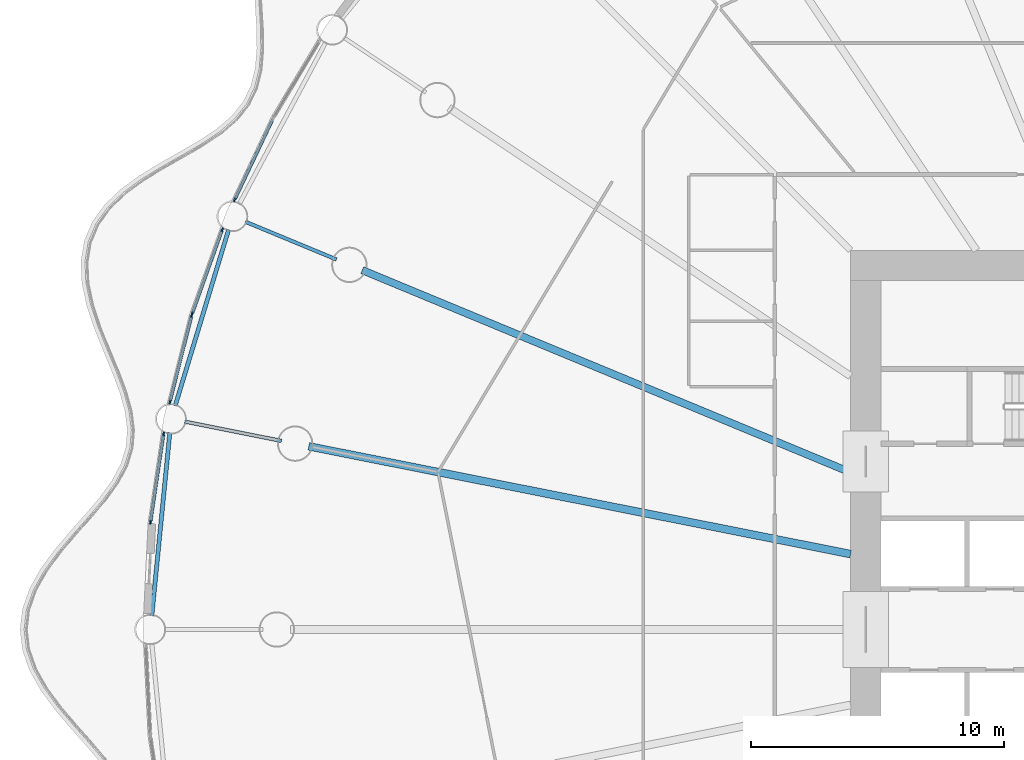
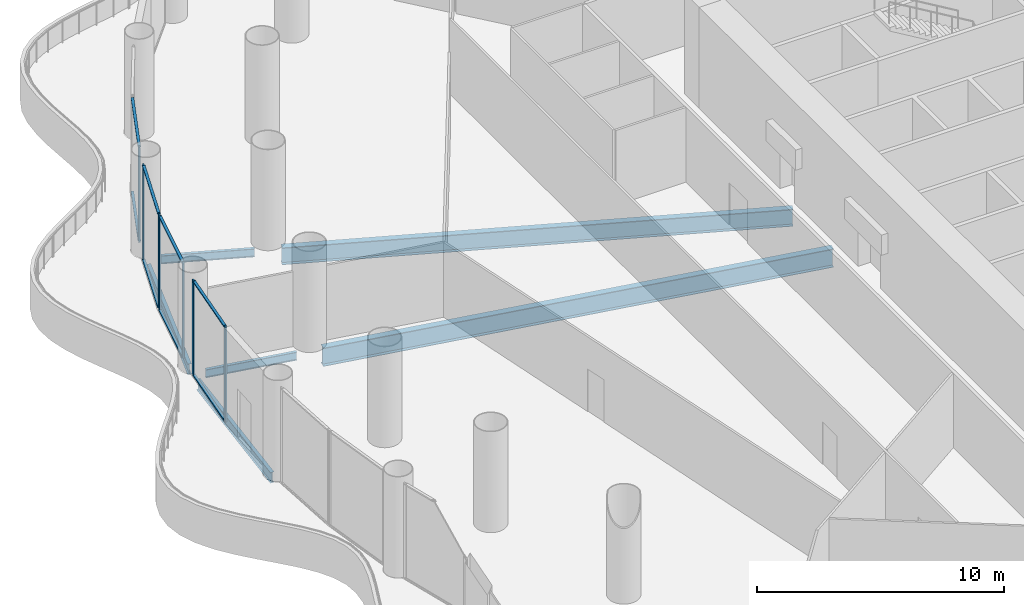
# One storey, part 8 of 35: 15 members, 6 beams, 4 elements without a shape of their own.
"""IFC4 building model written with IfcOpenShell, lengths in metres."""

from ifc_helpers import new_model, si_unit, direction, frame, origin, origin_2d, place, context, subcontext, project, spatial, rectangle, i_section, extrude, material, material_profile, profile_set, type_object, element, aggregate, save


model = new_model("IFC4")

# Units and contexts
model_context = context("Model", 3, precision=1e-05, world=origin(), true_north=direction((0.0, 1.0)))
body_context = subcontext(model_context, "Body", "Model", "MODEL_VIEW")
ifc_project = project(units=[si_unit("LENGTHUNIT", "METRE"), si_unit("AREAUNIT", "SQUARE_METRE"), si_unit("VOLUMEUNIT", "CUBIC_METRE"), si_unit("PLANEANGLEUNIT", "RADIAN"), si_unit("MASSUNIT", "GRAM", prefix="KILO")], contexts=[model_context])

# Site, building, storey
site_placement = place(None, origin())
site = spatial("IfcSite", under=ifc_project, at=site_placement, CompositionType="ELEMENT")
building_placement = place(site_placement, origin())
building = spatial("IfcBuilding", under=site, at=building_placement, Name="Corvane Civic Tower", CompositionType="ELEMENT")
storey_placement = place(building_placement, frame((0.0, 0.0, 22.0)))
storey = spatial("IfcBuildingStorey", under=building, at=storey_placement, Name="L04", CompositionType="ELEMENT", Elevation=22.0)

# Beams
ifc_material_1 = material(Name="Steel ASTM A992 Gr 50", Category="steel")
ifc_material_profile_1 = material_profile(ifc_material_1, i_section(OverallWidth=0.165771484375, OverallDepth=0.5283203125, WebThickness=0.009765625, FlangeThickness=0.013671875, at=origin_2d()), Name="W21X50")
ifc_profile_set_1 = profile_set([ifc_material_profile_1], Name="Steel ASTM A992 Gr 50")
beam_type_1 = type_object("IfcBeamType", Name="EDGE BEAM W21X50", PredefinedType="BEAM", material=ifc_profile_set_1)
for number, where, z_axis, x_axis, name in (
    (1, (-42.64599609375, 0.54736328125, -0.564208984375), (0.097984225478, 0.995187967953, 0.0), (-0.995187967953, 0.097984225478, 0.0), "BM-L04-E25"),
    (2, (-41.719970703125, 8.856689453125, -0.564208984375), (0.290291633127, 0.956938225664, 0.0), (-0.956938225664, 0.290291633127, 0.0), "BM-L04-E26"),
):
    element("IfcBeam", number, at=place(storey_placement, frame(where, z_axis=z_axis, x_axis=x_axis)), inside=storey, type_object=beam_type_1, Name=name, PredefinedType="BEAM", context=body_context, shape_type="SweptSolid", body=[
        extrude(i_section(OverallWidth=0.165771484375, OverallDepth=0.5283203125, WebThickness=0.009765625, FlangeThickness=0.013671875, at=origin_2d()), origin(), (0.0, 0.0, 1.0), 7.2705078125),
    ])
ifc_material_2 = material(Name="Steel ASTM A992 Gr 50", Category="steel")
ifc_material_profile_2 = material_profile(ifc_material_2, i_section(OverallWidth=0.140380859375, OverallDepth=0.40380859375, WebThickness=0.007080078125, FlangeThickness=0.01123046875, at=origin_2d()), Name="W16X31")
ifc_profile_set_2 = profile_set([ifc_material_profile_2], Name="Steel ASTM A992 Gr 50")
beam_type_2 = type_object("IfcBeamType", Name="FLOOR GIRDER W16X31", PredefinedType="BEAM", material=ifc_profile_set_2)
for number, where, z_axis, x_axis, name in (
    (3, (-37.51513671875, 7.462158203125, -0.501953125), (-0.980777614264, 0.195128858343, 0.0), (-0.195128858343, -0.980777614264, 0.0), "BM-L04-G26b"),
    (4, (-35.33837890625, 14.6376953125, -0.501953125), (-0.923878730261, 0.382685369162, 0.0), (-0.382685369162, -0.923878730261, 0.0), "BM-L04-G27b"),
):
    element("IfcBeam", number, at=place(storey_placement, frame(where, z_axis=z_axis, x_axis=x_axis)), inside=storey, type_object=beam_type_2, Name=name, PredefinedType="BEAM", context=body_context, shape_type="SweptSolid", body=[
        extrude(i_section(OverallWidth=0.140380859375, OverallDepth=0.40380859375, WebThickness=0.007080078125, FlangeThickness=0.01123046875, at=origin_2d()), origin(), (0.0, 0.0, 1.0), 3.89990234375),
    ])
ifc_material_3 = material(Name="Steel ASTM A992 Gr 50", Category="steel")
ifc_material_profile_3 = material_profile(ifc_material_3, i_section(OverallWidth=0.2919921875, OverallDepth=0.845703125, WebThickness=0.015380859375, FlangeThickness=0.0244140625, at=origin_2d()), Name="W33X141")
ifc_profile_set_3 = profile_set([ifc_material_profile_3], Name="Steel ASTM A992 Gr 50")
beam_type_3 = type_object("IfcBeamType", Name="FLOOR GIRDER W33X141", PredefinedType="BEAM", material=ifc_profile_set_3)
beam_1_placement = place(storey_placement, frame((-15.0, 6.213134765625, -0.722900390625), z_axis=(-0.923875834355, 0.382692360381, 0.0), x_axis=(-0.382692360381, -0.923875834355, 0.0)))
element("IfcBeam", 5, at=beam_1_placement, inside=storey, type_object=beam_type_3, Name="BM-L04-G27", PredefinedType="BEAM", context=body_context, shape_type="SweptSolid", body=[
    extrude(i_section(OverallWidth=0.2919921875, OverallDepth=0.845703125, WebThickness=0.015380859375, FlangeThickness=0.0244140625, at=origin_2d()), origin(), (0.0, 0.0, 1.0), 20.9140625),
])
ifc_material_4 = material(Name="Steel ASTM A992 Gr 50", Category="steel")
ifc_material_profile_4 = material_profile(ifc_material_4, i_section(OverallWidth=0.3046875, OverallDepth=0.911865234375, WebThickness=0.015869140625, FlangeThickness=0.02392578125, at=origin_2d()), Name="W36X150")
ifc_profile_set_4 = profile_set([ifc_material_profile_4], Name="Steel ASTM A992 Gr 50")
beam_type_4 = type_object("IfcBeamType", Name="FLOOR GIRDER W36X150", PredefinedType="BEAM", material=ifc_profile_set_4)
beam_2_placement = place(storey_placement, frame((-15.0, 2.983642578125, -0.755859375), z_axis=(-0.980785499679, 0.195089219638, 0.0), x_axis=(-0.195089219638, -0.980785499679, 0.0)))
element("IfcBeam", 6, at=beam_2_placement, inside=storey, type_object=beam_type_4, Name="BM-L04-G26", PredefinedType="BEAM", context=body_context, shape_type="SweptSolid", body=[
    extrude(i_section(OverallWidth=0.3046875, OverallDepth=0.911865234375, WebThickness=0.015869140625, FlangeThickness=0.02392578125, at=origin_2d()), origin(), (0.0, 0.0, 1.0), 21.856201171875),
])

# Curtain wall, members
ifc_material_5 = material(Name="Aluminium and glass", Category="aluminium")
curtain_wall_type = type_object("IfcCurtainWallType", Name="PODIUM-CW-P-RUN", PredefinedType="NOTDEFINED", material=ifc_material_5)
curtain_wall_1_placement = place(storey_placement, origin())
curtain_wall_1 = element("IfcCurtainWall", 7, at=curtain_wall_1_placement, inside=storey, type_object=curtain_wall_type, Name="PODI run L04-drum-25B", PredefinedType="NOTDEFINED")
ifc_material_6 = material(Name="Anodised aluminium bronze", Category="aluminium")
ifc_material_profile_5 = material_profile(ifc_material_6, rectangle(XDim=0.06005859375, YDim=0.159912109375, at=origin_2d()), Name="AL 60x160")
ifc_profile_set_5 = profile_set([ifc_material_profile_5], Name="Anodised aluminium bronze")
member_type_1 = type_object("IfcMemberType", Name="PODIUM-CWP-MULLION-60x160", PredefinedType="MULLION", material=ifc_profile_set_5)
member_1_placement = place(storey_placement, frame((-42.696533203125, 4.2509765625, 0.0), z_axis=(0.0, 0.0, 1.0), x_axis=(-0.989178850608, 0.146714694252, 0.0)))
member_1 = element("IfcMember", 8, at=member_1_placement, type_object=member_type_1, Name="CW-P mullion 1", PredefinedType="MULLION", context=body_context, shape_type="SweptSolid", body=[
    extrude(rectangle(XDim=0.06005859375, YDim=0.159912109375, at=origin_2d()), origin(), (0.0, 0.0, 1.0), 4.699951171875),
])
member_2_placement = place(storey_placement, frame((-42.18017578125, 7.732666015625, 0.0), z_axis=(0.0, 0.0, 1.0), x_axis=(-0.989178850608, 0.146714694252, 0.0)))
member_2 = element("IfcMember", 9, at=member_2_placement, type_object=member_type_1, Name="CW-P mullion 2", PredefinedType="MULLION", context=body_context, shape_type="SweptSolid", body=[
    extrude(rectangle(XDim=0.06005859375, YDim=0.159912109375, at=origin_2d()), origin(), (0.0, 0.0, 1.0), 4.699951171875),
])

curtain_wall_2_placement = place(storey_placement, origin())
curtain_wall_2 = element("IfcCurtainWall", 10, at=curtain_wall_2_placement, inside=storey, type_object=curtain_wall_type, Name="PODI run L04-drum-26A", PredefinedType="NOTDEFINED")
member_3_placement = place(storey_placement, frame((-41.9287109375, 8.99755859375, 0.0), z_axis=(0.0, 0.0, 1.0), x_axis=(-0.970024070659, 0.243008852393, 0.0)))
member_3 = element("IfcMember", 11, at=member_3_placement, type_object=member_type_1, Name="CW-P mullion 1", PredefinedType="MULLION", context=body_context, shape_type="SweptSolid", body=[
    extrude(rectangle(XDim=0.06005859375, YDim=0.159912109375, at=origin_2d()), origin(), (0.0, 0.0, 1.0), 4.699951171875),
])
member_4_placement = place(storey_placement, frame((-41.0732421875, 12.411865234375, 0.0), z_axis=(0.0, 0.0, 1.0), x_axis=(-0.970024070659, 0.243008852393, 0.0)))
member_4 = element("IfcMember", 12, at=member_4_placement, type_object=member_type_1, Name="CW-P mullion 2", PredefinedType="MULLION", context=body_context, shape_type="SweptSolid", body=[
    extrude(rectangle(XDim=0.06005859375, YDim=0.159912109375, at=origin_2d()), origin(), (0.0, 0.0, 1.0), 4.699951171875),
])

curtain_wall_3_placement = place(storey_placement, origin())
curtain_wall_3 = element("IfcCurtainWall", 13, at=curtain_wall_3_placement, inside=storey, type_object=curtain_wall_type, Name="PODI run L04-drum-26B", PredefinedType="NOTDEFINED")
member_5_placement = place(storey_placement, frame((-41.046875, 12.4990234375, 0.0), z_axis=(0.0, 0.0, 1.0), x_axis=(-0.941533802561, 0.336918534123, 0.0)))
member_5 = element("IfcMember", 14, at=member_5_placement, type_object=member_type_1, Name="CW-P mullion 1", PredefinedType="MULLION", context=body_context, shape_type="SweptSolid", body=[
    extrude(rectangle(XDim=0.06005859375, YDim=0.159912109375, at=origin_2d()), origin(), (0.0, 0.0, 1.0), 4.699951171875),
])
member_6_placement = place(storey_placement, frame((-39.861083984375, 15.81298828125, 0.0), z_axis=(0.0, 0.0, 1.0), x_axis=(-0.941533802561, 0.336918534123, 0.0)))
member_6 = element("IfcMember", 15, at=member_6_placement, type_object=member_type_1, Name="CW-P mullion 2", PredefinedType="MULLION", context=body_context, shape_type="SweptSolid", body=[
    extrude(rectangle(XDim=0.06005859375, YDim=0.159912109375, at=origin_2d()), origin(), (0.0, 0.0, 1.0), 4.699951171875),
])

# Curtain wall, member
curtain_wall_4_placement = place(storey_placement, origin())
curtain_wall_4 = element("IfcCurtainWall", 16, at=curtain_wall_4_placement, inside=storey, type_object=curtain_wall_type, Name="PODI run L04-drum-27A", PredefinedType="NOTDEFINED")
member_7_placement = place(storey_placement, frame((-39.36767578125, 17.00439453125, 0.0), z_axis=(0.0, 0.0, 1.0), x_axis=(-0.903990222454, 0.42755312852, 0.0)))
member_7 = element("IfcMember", 17, at=member_7_placement, type_object=member_type_1, Name="CW-P mullion 1", PredefinedType="MULLION", context=body_context, shape_type="SweptSolid", body=[
    extrude(rectangle(XDim=0.06005859375, YDim=0.159912109375, at=origin_2d()), origin(), (0.0, 0.0, 1.0), 4.699951171875),
])

# Member
ifc_material_7 = material(Name="Anodised aluminium bronze", Category="aluminium")
ifc_material_profile_6 = material_profile(ifc_material_7, rectangle(XDim=0.1201171875, YDim=0.06005859375, at=origin_2d()), Name="AL 120x60")
ifc_profile_set_6 = profile_set([ifc_material_profile_6], Name="Anodised aluminium bronze")
member_type_2 = type_object("IfcMemberType", Name="PODIUM-CWP-TRANSOM-60x120", PredefinedType="USERDEFINED", material=ifc_profile_set_6)
member_8_placement = place(storey_placement, frame((-42.692138671875, 4.28076171875, 0.030029296875), z_axis=(0.146704660039, 0.989180338828, 0.0), x_axis=(-0.989180338828, 0.146704660039, 0.0)))
member_8 = element("IfcMember", 18, at=member_8_placement, type_object=member_type_2, Name="CW-P transom 1.1", ObjectType="TRANSOM", PredefinedType="USERDEFINED", context=body_context, shape_type="SweptSolid", body=[
    extrude(rectangle(XDim=0.1201171875, YDim=0.06005859375, at=origin_2d()), origin(), (0.0, 0.0, 1.0), 3.459716796875),
])

member_9_placement = place(storey_placement, frame((-42.692138671875, 4.28076171875, 4.669921875), z_axis=(0.146704660039, 0.989180338828, 0.0), x_axis=(-0.989180338828, 0.146704660039, 0.0)))
member_9 = element("IfcMember", 19, at=member_9_placement, type_object=member_type_2, Name="CW-P transom 1.2", ObjectType="TRANSOM", PredefinedType="USERDEFINED", context=body_context, shape_type="SweptSolid", body=[
    extrude(rectangle(XDim=0.1201171875, YDim=0.06005859375, at=origin_2d()), origin(), (0.0, 0.0, 1.0), 3.459716796875),
])

aggregate(curtain_wall_1, [member_1, member_2, member_8, member_9])

member_10_placement = place(storey_placement, frame((-41.92138671875, 9.026611328125, 0.030029296875), z_axis=(0.243017080124, 0.970022009425, 0.0), x_axis=(-0.970022009425, 0.243017080124, 0.0)))
member_10 = element("IfcMember", 20, at=member_10_placement, type_object=member_type_2, Name="CW-P transom 1.1", ObjectType="TRANSOM", PredefinedType="USERDEFINED", context=body_context, shape_type="SweptSolid", body=[
    extrude(rectangle(XDim=0.1201171875, YDim=0.06005859375, at=origin_2d()), origin(), (0.0, 0.0, 1.0), 3.4599609375),
])

member_11_placement = place(storey_placement, frame((-41.92138671875, 9.026611328125, 4.669921875), z_axis=(0.243017080124, 0.970022009425, 0.0), x_axis=(-0.970022009425, 0.243017080124, 0.0)))
member_11 = element("IfcMember", 21, at=member_11_placement, type_object=member_type_2, Name="CW-P transom 1.2", ObjectType="TRANSOM", PredefinedType="USERDEFINED", context=body_context, shape_type="SweptSolid", body=[
    extrude(rectangle(XDim=0.1201171875, YDim=0.06005859375, at=origin_2d()), origin(), (0.0, 0.0, 1.0), 3.4599609375),
])

aggregate(curtain_wall_2, [member_3, member_4, member_10, member_11])

member_12_placement = place(storey_placement, frame((-41.036865234375, 12.527099609375, 0.030029296875), z_axis=(0.336939787896, 0.941526196838, 0.0), x_axis=(-0.941526196838, 0.336939787896, 0.0)))
member_12 = element("IfcMember", 22, at=member_12_placement, type_object=member_type_2, Name="CW-P transom 1.1", ObjectType="TRANSOM", PredefinedType="USERDEFINED", context=body_context, shape_type="SweptSolid", body=[
    extrude(rectangle(XDim=0.1201171875, YDim=0.06005859375, at=origin_2d()), origin(), (0.0, 0.0, 1.0), 3.4599609375),
])

member_13_placement = place(storey_placement, frame((-41.036865234375, 12.527099609375, 4.669921875), z_axis=(0.336939787896, 0.941526196838, 0.0), x_axis=(-0.941526196838, 0.336939787896, 0.0)))
member_13 = element("IfcMember", 23, at=member_13_placement, type_object=member_type_2, Name="CW-P transom 1.2", ObjectType="TRANSOM", PredefinedType="USERDEFINED", context=body_context, shape_type="SweptSolid", body=[
    extrude(rectangle(XDim=0.1201171875, YDim=0.06005859375, at=origin_2d()), origin(), (0.0, 0.0, 1.0), 3.4599609375),
])

aggregate(curtain_wall_3, [member_5, member_6, member_12, member_13])

member_14_placement = place(storey_placement, frame((-39.354736328125, 17.031494140625, 0.030029296875), z_axis=(0.427546343166, 0.903993431638, 0.0), x_axis=(-0.903993431638, 0.427546343166, 0.0)))
member_14 = element("IfcMember", 24, at=member_14_placement, type_object=member_type_2, Name="CW-P transom 1.1", ObjectType="TRANSOM", PredefinedType="USERDEFINED", context=body_context, shape_type="SweptSolid", body=[
    extrude(rectangle(XDim=0.1201171875, YDim=0.06005859375, at=origin_2d()), origin(), (0.0, 0.0, 1.0), 3.4599609375),
])

member_15_placement = place(storey_placement, frame((-39.354736328125, 17.031494140625, 4.669921875), z_axis=(0.427546343166, 0.903993431638, 0.0), x_axis=(-0.903993431638, 0.427546343166, 0.0)))
member_15 = element("IfcMember", 25, at=member_15_placement, type_object=member_type_2, Name="CW-P transom 1.2", ObjectType="TRANSOM", PredefinedType="USERDEFINED", context=body_context, shape_type="SweptSolid", body=[
    extrude(rectangle(XDim=0.1201171875, YDim=0.06005859375, at=origin_2d()), origin(), (0.0, 0.0, 1.0), 3.4599609375),
])

aggregate(curtain_wall_4, [member_7, member_14, member_15])

save(model, "model.ifc")
